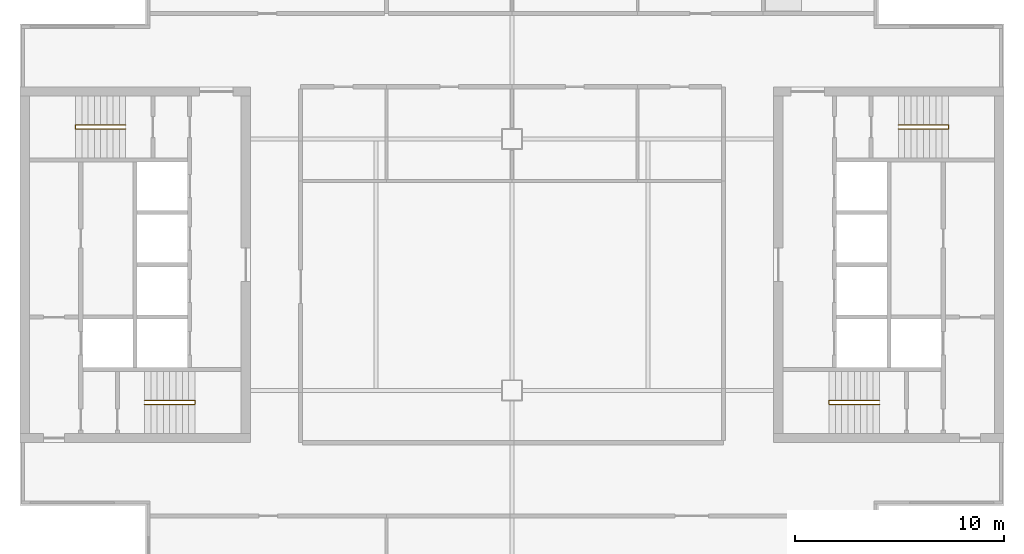
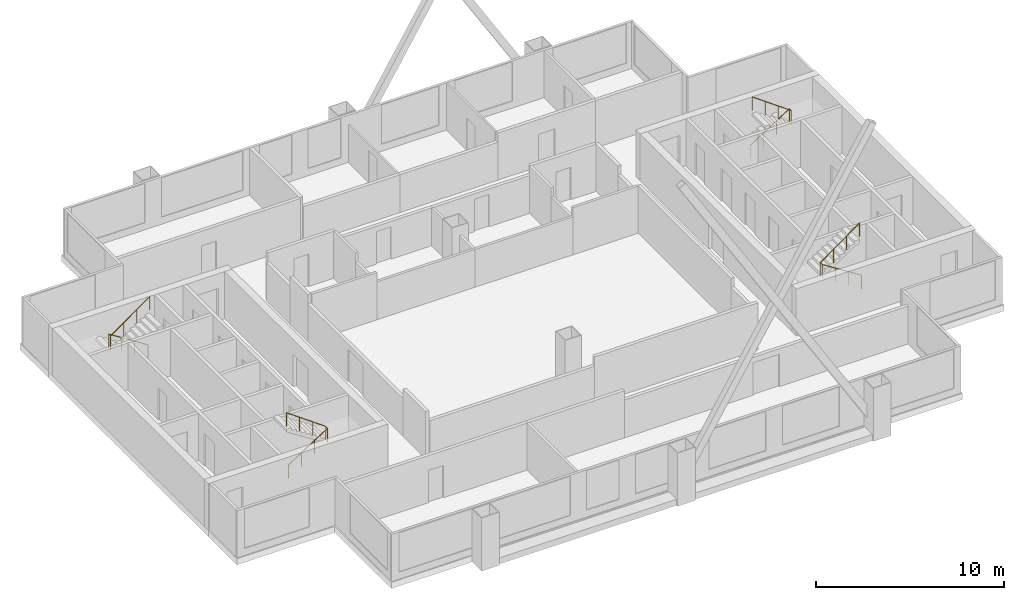
# One storey, part 6 of 7: 4 railings.
"""IFC4 building model written with IfcOpenShell, lengths in metres."""

from ifc_helpers import new_model, si_unit, direction, frame, origin, origin_2d, place, context, subcontext, project, spatial, circle, extrude, material, type_object, element, save


model = new_model("IFC4")

# Units and contexts
model_context = context("Model", 3, precision=1e-05, world=origin(), true_north=direction((0.0, 1.0)))
body_context = subcontext(model_context, "Body", "Model", "MODEL_VIEW")
ifc_project = project(units=[si_unit("LENGTHUNIT", "METRE"), si_unit("AREAUNIT", "SQUARE_METRE"), si_unit("VOLUMEUNIT", "CUBIC_METRE"), si_unit("PLANEANGLEUNIT", "RADIAN"), si_unit("MASSUNIT", "GRAM", prefix="KILO")], contexts=[model_context])

# Site, building, storey
site_placement = place(None, origin())
site = spatial("IfcSite", under=ifc_project, at=site_placement, CompositionType="ELEMENT")
building_placement = place(site_placement, origin())
building = spatial("IfcBuilding", under=site, at=building_placement, Name="Kitamizu Gate Tower and Museum", CompositionType="ELEMENT")
storey_placement = place(building_placement, frame((0.0, 0.0, 238.64990234375)))
storey = spatial("IfcBuildingStorey", under=building, at=storey_placement, Name="L64", CompositionType="ELEMENT", Elevation=238.64990234375)

# Railings
ifc_material = material(Name="Stainless steel SUS304", Category="steel")
railing_type = type_object("IfcRailingType", Name="Stair handrail 900", PredefinedType="HANDRAIL", material=ifc_material)
railing_1_placement = place(storey_placement, frame((18.449951171875, 23.324951171875, 0.191650390625)))
element("IfcRailing", 1, at=railing_1_placement, inside=storey, type_object=railing_type, Name="Stair handrail ST1", PredefinedType="HANDRAIL", context=body_context, shape_type="SweptSolid", body=[
    extrude(circle(Radius=0.02392578125, at=origin_2d()), frame((0.0, 0.0, 0.8759765625), z_axis=(0.842693018954, 0.0, 0.538394349715), x_axis=(0.0, 1.0, 0.0)), (0.0, 0.0, 1.0), 2.84814453125),
    extrude(circle(Radius=0.02392578125, at=origin_2d()), frame((2.400146484375, 0.0, 2.4091796875), z_axis=(0.0, 1.0, 0.0), x_axis=(-1.0, 0.0, 0.0)), (0.0, 0.0, 1.0), 0.199951171875),
    extrude(circle(Radius=0.02392578125, at=origin_2d()), frame((2.400146484375, 0.199951171875, 2.4091796875), z_axis=(-0.812016594614, 0.0, 0.583634346205), x_axis=(0.0, -1.0, 0.0)), (0.0, 0.0, 1.0), 2.955810546875),
    extrude(circle(Radius=0.02099609375, at=origin_2d()), origin(), (0.0, 0.0, 1.0), 0.851806640625),
    extrude(circle(Radius=0.02099609375, at=origin_2d()), frame((0.800048828125, 0.0, 0.51123046875)), (0.0, 0.0, 1.0), 0.851806640625),
    extrude(circle(Radius=0.02099609375, at=origin_2d()), frame((1.60009765625, 0.0, 1.022216796875)), (0.0, 0.0, 1.0), 0.851806640625),
    extrude(circle(Radius=0.02099609375, at=origin_2d()), frame((2.400146484375, 0.0, 1.533447265625)), (0.0, 0.0, 1.0), 0.851806640625),
    extrude(circle(Radius=0.02099609375, at=origin_2d()), frame((2.400146484375, 0.199951171875, 1.533447265625)), (0.0, 0.0, 1.0), 0.851806640625),
    extrude(circle(Radius=0.02099609375, at=origin_2d()), frame((1.60009765625, 0.199951171875, 2.1083984375)), (0.0, 0.0, 1.0), 0.851806640625),
    extrude(circle(Radius=0.02099609375, at=origin_2d()), frame((0.800048828125, 0.199951171875, 2.68359375)), (0.0, 0.0, 1.0), 0.851806640625),
    extrude(circle(Radius=0.02099609375, at=origin_2d()), frame((0.0, 0.199951171875, 3.258544921875)), (0.0, 0.0, 1.0), 0.851806640625),
])
railing_2_placement = place(storey_placement, frame((17.550048828125, 36.675048828125, 0.191650390625)))
element("IfcRailing", 2, at=railing_2_placement, inside=storey, type_object=railing_type, Name="Stair handrail ST2", PredefinedType="HANDRAIL", context=body_context, shape_type="SweptSolid", body=[
    extrude(circle(Radius=0.02392578125, at=origin_2d()), frame((0.0, 0.0, 0.8759765625), z_axis=(-0.842693018954, 0.0, 0.538394349715), x_axis=(0.0, -1.0, 0.0)), (0.0, 0.0, 1.0), 2.84814453125),
    extrude(circle(Radius=0.02392578125, at=origin_2d()), frame((-2.400146484375, 0.0, 2.4091796875), z_axis=(0.0, -1.0, 0.0), x_axis=(1.0, 0.0, 0.0)), (0.0, 0.0, 1.0), 0.199951171875),
    extrude(circle(Radius=0.02392578125, at=origin_2d()), frame((-2.400146484375, -0.199951171875, 2.4091796875), z_axis=(0.812016594614, 0.0, 0.583634346205), x_axis=(0.0, 1.0, 0.0)), (0.0, 0.0, 1.0), 2.955810546875),
    extrude(circle(Radius=0.02099609375, at=origin_2d()), origin(), (0.0, 0.0, 1.0), 0.851806640625),
    extrude(circle(Radius=0.02099609375, at=origin_2d()), frame((-0.800048828125, 0.0, 0.51123046875)), (0.0, 0.0, 1.0), 0.851806640625),
    extrude(circle(Radius=0.02099609375, at=origin_2d()), frame((-1.60009765625, 0.0, 1.022216796875)), (0.0, 0.0, 1.0), 0.851806640625),
    extrude(circle(Radius=0.02099609375, at=origin_2d()), frame((-2.400146484375, 0.0, 1.533447265625)), (0.0, 0.0, 1.0), 0.851806640625),
    extrude(circle(Radius=0.02099609375, at=origin_2d()), frame((-2.400146484375, -0.199951171875, 1.533447265625)), (0.0, 0.0, 1.0), 0.851806640625),
    extrude(circle(Radius=0.02099609375, at=origin_2d()), frame((-1.60009765625, -0.199951171875, 2.1083984375)), (0.0, 0.0, 1.0), 0.851806640625),
    extrude(circle(Radius=0.02099609375, at=origin_2d()), frame((-0.800048828125, -0.199951171875, 2.68359375)), (0.0, 0.0, 1.0), 0.851806640625),
    extrude(circle(Radius=0.02099609375, at=origin_2d()), frame((0.0, -0.199951171875, 3.258544921875)), (0.0, 0.0, 1.0), 0.851806640625),
])
railing_3_placement = place(storey_placement, frame((53.550048828125, 23.324951171875, 0.191650390625)))
element("IfcRailing", 3, at=railing_3_placement, inside=storey, type_object=railing_type, Name="Stair handrail ST3", PredefinedType="HANDRAIL", context=body_context, shape_type="SweptSolid", body=[
    extrude(circle(Radius=0.02392578125, at=origin_2d()), frame((0.0, 0.0, 0.8759765625), z_axis=(-0.842693018954, 0.0, 0.538394349715), x_axis=(0.0, -1.0, 0.0)), (0.0, 0.0, 1.0), 2.84814453125),
    extrude(circle(Radius=0.02392578125, at=origin_2d()), frame((-2.400146484375, 0.0, 2.4091796875), z_axis=(0.0, 1.0, 0.0), x_axis=(-1.0, 0.0, 0.0)), (0.0, 0.0, 1.0), 0.199951171875),
    extrude(circle(Radius=0.02392578125, at=origin_2d()), frame((-2.400146484375, 0.199951171875, 2.4091796875), z_axis=(0.812016594614, 0.0, 0.583634346205), x_axis=(0.0, 1.0, 0.0)), (0.0, 0.0, 1.0), 2.955810546875),
    extrude(circle(Radius=0.02099609375, at=origin_2d()), origin(), (0.0, 0.0, 1.0), 0.851806640625),
    extrude(circle(Radius=0.02099609375, at=origin_2d()), frame((-0.800048828125, 0.0, 0.51123046875)), (0.0, 0.0, 1.0), 0.851806640625),
    extrude(circle(Radius=0.02099609375, at=origin_2d()), frame((-1.60009765625, 0.0, 1.022216796875)), (0.0, 0.0, 1.0), 0.851806640625),
    extrude(circle(Radius=0.02099609375, at=origin_2d()), frame((-2.400146484375, 0.0, 1.533447265625)), (0.0, 0.0, 1.0), 0.851806640625),
    extrude(circle(Radius=0.02099609375, at=origin_2d()), frame((-2.400146484375, 0.199951171875, 1.533447265625)), (0.0, 0.0, 1.0), 0.851806640625),
    extrude(circle(Radius=0.02099609375, at=origin_2d()), frame((-1.60009765625, 0.199951171875, 2.1083984375)), (0.0, 0.0, 1.0), 0.851806640625),
    extrude(circle(Radius=0.02099609375, at=origin_2d()), frame((-0.800048828125, 0.199951171875, 2.68359375)), (0.0, 0.0, 1.0), 0.851806640625),
    extrude(circle(Radius=0.02099609375, at=origin_2d()), frame((0.0, 0.199951171875, 3.258544921875)), (0.0, 0.0, 1.0), 0.851806640625),
])
railing_4_placement = place(storey_placement, frame((54.449951171875, 36.675048828125, 0.191650390625)))
element("IfcRailing", 4, at=railing_4_placement, inside=storey, type_object=railing_type, Name="Stair handrail ST4", PredefinedType="HANDRAIL", context=body_context, shape_type="SweptSolid", body=[
    extrude(circle(Radius=0.02392578125, at=origin_2d()), frame((0.0, 0.0, 0.8759765625), z_axis=(0.842693018954, 0.0, 0.538394349715), x_axis=(0.0, 1.0, 0.0)), (0.0, 0.0, 1.0), 2.84814453125),
    extrude(circle(Radius=0.02392578125, at=origin_2d()), frame((2.400146484375, 0.0, 2.4091796875), z_axis=(0.0, -1.0, 0.0), x_axis=(1.0, 0.0, 0.0)), (0.0, 0.0, 1.0), 0.199951171875),
    extrude(circle(Radius=0.02392578125, at=origin_2d()), frame((2.400146484375, -0.199951171875, 2.4091796875), z_axis=(-0.812016594614, 0.0, 0.583634346205), x_axis=(0.0, -1.0, 0.0)), (0.0, 0.0, 1.0), 2.955810546875),
    extrude(circle(Radius=0.02099609375, at=origin_2d()), origin(), (0.0, 0.0, 1.0), 0.851806640625),
    extrude(circle(Radius=0.02099609375, at=origin_2d()), frame((0.800048828125, 0.0, 0.51123046875)), (0.0, 0.0, 1.0), 0.851806640625),
    extrude(circle(Radius=0.02099609375, at=origin_2d()), frame((1.60009765625, 0.0, 1.022216796875)), (0.0, 0.0, 1.0), 0.851806640625),
    extrude(circle(Radius=0.02099609375, at=origin_2d()), frame((2.400146484375, 0.0, 1.533447265625)), (0.0, 0.0, 1.0), 0.851806640625),
    extrude(circle(Radius=0.02099609375, at=origin_2d()), frame((2.400146484375, -0.199951171875, 1.533447265625)), (0.0, 0.0, 1.0), 0.851806640625),
    extrude(circle(Radius=0.02099609375, at=origin_2d()), frame((1.60009765625, -0.199951171875, 2.1083984375)), (0.0, 0.0, 1.0), 0.851806640625),
    extrude(circle(Radius=0.02099609375, at=origin_2d()), frame((0.800048828125, -0.199951171875, 2.68359375)), (0.0, 0.0, 1.0), 0.851806640625),
    extrude(circle(Radius=0.02099609375, at=origin_2d()), frame((0.0, -0.199951171875, 3.258544921875)), (0.0, 0.0, 1.0), 0.851806640625),
])

save(model, "model.ifc")
